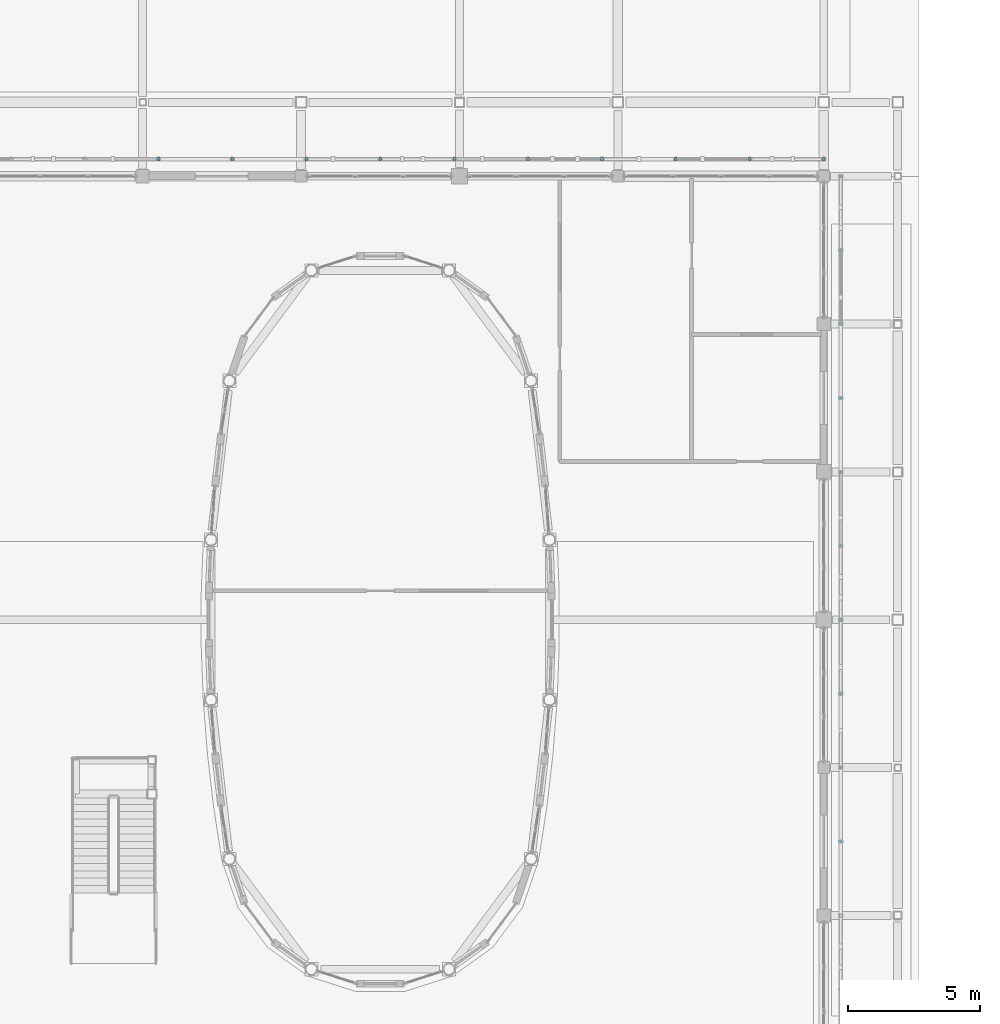
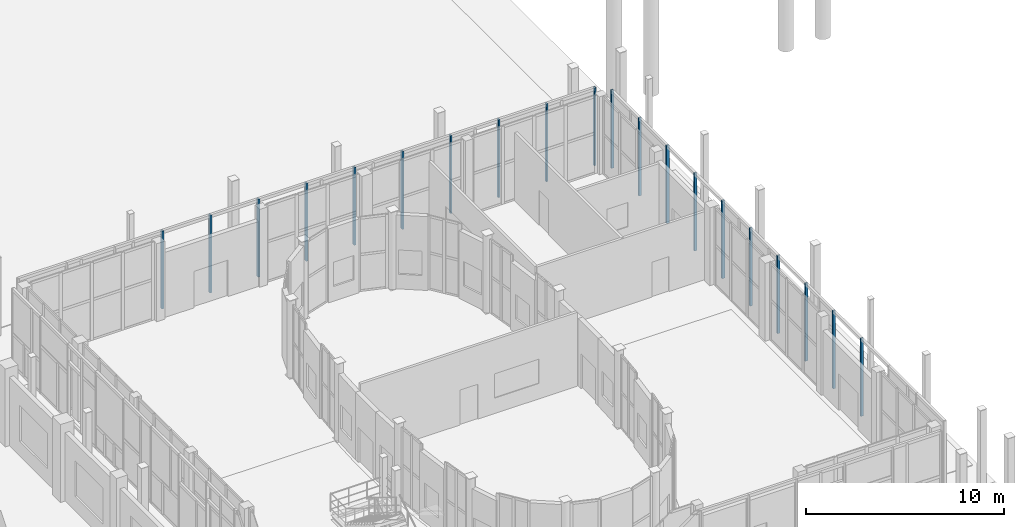
# One storey, part 82 of 91: 20 discrete accessories.
"""IFC4 building model written with IfcOpenShell, lengths in metres."""

import ifcopenshell
import ifcopenshell.guid

model = None  # the IFC model being written
_history = None  # IfcOwnerHistory: only IFC2X3 demands one
_inside = {}  # id of a spatial element -> (the spatial element, [elements in it])
_under = {}  # id of a project, library or spatial element -> (it, [spatial elements below it])
_declared = {}  # id of a project -> (the project, [libraries it declares])
_typed = {}  # id of a type object -> (the type object, [elements of that type])
_made_of = {}  # id of a material, layer set ... -> (it, [elements and type objects made of it])


def new_model(schema):
    """Start an empty IFC model of exactly this schema.

    Asked for "IFC4X3", IfcOpenShell would pick the latest addendum, in which some entities
    have other attributes; the version numbers below select the first issue.
    IFC2X3 requires an IfcOwnerHistory on every rooted entity: one is made here for all.
    """
    global model, _history
    if schema == "IFC4X3":
        model = ifcopenshell.file(schema_version=(4, 3, 0, 0))
    else:
        model = ifcopenshell.file(schema=schema)
    _inside.clear()
    _under.clear()
    _declared.clear()
    _typed.clear()
    _made_of.clear()
    _history = None
    if model.schema == "IFC2X3":
        org = make("IfcOrganization", Name="unknown")
        user = make(
            "IfcPersonAndOrganization",
            ThePerson=make("IfcPerson", FamilyName="unknown"),
            TheOrganization=org,
        )
        app = make(
            "IfcApplication",
            ApplicationDeveloper=org,
            Version="unknown",
            ApplicationFullName="unknown",
            ApplicationIdentifier="unknown",
        )
        _history = make(
            "IfcOwnerHistory",
            OwningUser=user,
            OwningApplication=app,
            ChangeAction="ADDED",
            CreationDate=0,
        )
    return model


def make(cls, **values):
    """One entity of the class cls with the attributes given. An attribute that is None is left unset."""
    return model.create_entity(
        cls, **{name: value for name, value in values.items() if value is not None}
    )


def rooted(cls, **values):
    """An entity with a GlobalId (a new one), such as an element, a storey or a relation."""
    return make(cls, GlobalId=ifcopenshell.guid.new(), OwnerHistory=_history, **values)


def si_unit(unit_type, name, prefix=None):
    """IfcSIUnit, for example si_unit("LENGTHUNIT", "METRE", prefix="MILLI")."""
    return make("IfcSIUnit", UnitType=unit_type, Prefix=prefix, Name=name)


def assignment(units):
    """IfcUnitAssignment: the units of a project."""
    return None if units is None else make("IfcUnitAssignment", Units=units)


def point(xyz):
    """IfcCartesianPoint."""
    return None if xyz is None else make("IfcCartesianPoint", Coordinates=xyz)


def direction(xyz):
    """IfcDirection."""
    return None if xyz is None else make("IfcDirection", DirectionRatios=xyz)


def frame(location, z_axis=None, x_axis=None):
    """IfcAxis2Placement3D, a coordinate frame: its origin and axes. An axis left out is left unset."""
    return make(
        "IfcAxis2Placement3D",
        Location=point(location),
        Axis=direction(z_axis),
        RefDirection=direction(x_axis),
    )


def frame_2d(location, x_axis=None):
    """IfcAxis2Placement2D, a coordinate frame in the plane: its origin and x axis."""
    return make(
        "IfcAxis2Placement2D", Location=point(location), RefDirection=direction(x_axis)
    )


def origin():
    """The frame at (0, 0, 0) with its axes left unset."""
    return frame((0.0, 0.0, 0.0))


def origin_2d():
    """The frame at (0, 0) in the plane with its x axis left unset."""
    return frame_2d((0.0, 0.0))


def place(relative_to, where):
    """IfcLocalPlacement: puts the frame where relative to a parent placement (None: the world)."""
    return make(
        "IfcLocalPlacement", PlacementRelTo=relative_to, RelativePlacement=where
    )


def context(
    kind, dimensions, precision=None, world=None, true_north=None, identifier=None
):
    """IfcGeometricRepresentationContext, for example the 3D "Model" context."""
    return make(
        "IfcGeometricRepresentationContext",
        ContextIdentifier=identifier,
        ContextType=kind,
        CoordinateSpaceDimension=dimensions,
        Precision=precision,
        WorldCoordinateSystem=world,
        TrueNorth=true_north,
    )


def subcontext(parent, identifier, kind, view, scale=None):
    """IfcGeometricRepresentationSubContext, for example "Body" below "Model"."""
    return make(
        "IfcGeometricRepresentationSubContext",
        ContextIdentifier=identifier,
        ContextType=kind,
        ParentContext=parent,
        TargetScale=scale,
        TargetView=view,
    )


def project(units=None, contexts=None):
    """IfcProject with its units and contexts."""
    return rooted(
        "IfcProject",
        Name="project",
        RepresentationContexts=contexts,
        UnitsInContext=assignment(units),
    )


def spatial(cls, under=None, at=None, **own):
    """A site, building, storey or space (cls), placed at a placement, below another one or the project."""
    s = rooted(cls, ObjectPlacement=at, **own)
    if under is not None:
        _under.setdefault(under.id(), (under, []))[1].append(s)
    return s


def profile(cls, at=None, kind="AREA", **sizes):
    """A parametric profile (cls). Its sizes go by their IFC names, for example OverallWidth=200.0."""
    return make(cls, ProfileType=kind, Position=at, **sizes)


def rectangle(**sizes):
    """IfcRectangleProfileDef."""
    return profile("IfcRectangleProfileDef", **sizes)


def extrude(swept, where, along, depth):
    """IfcExtrudedAreaSolid: the profile swept, set in the frame where, extruded along a direction by depth."""
    return make(
        "IfcExtrudedAreaSolid",
        SweptArea=swept,
        Position=where,
        ExtrudedDirection=direction(along),
        Depth=depth,
    )


def shape(context_of_items, identifier, shape_type, items):
    """IfcShapeRepresentation: the items that make up one representation, for example the "Body"."""
    return make(
        "IfcShapeRepresentation",
        ContextOfItems=context_of_items,
        RepresentationIdentifier=identifier,
        RepresentationType=shape_type,
        Items=items,
    )


def material(Name=None, Category=None):
    """IfcMaterial."""
    return make("IfcMaterial", Name=Name, Category=Category)


def made_of(thing, what):
    """Note that an element or type object is made of a material, layer set ...; save() writes the relation."""
    if what is not None:
        _made_of.setdefault(what.id(), (what, []))[1].append(thing)
    return thing


def type_object(cls, material=None, **own):
    """A type object (cls), such as IfcWallType, which elements share."""
    return made_of(rooted(cls, **own), material)


def element(
    cls,
    number,
    at=None,
    inside=None,
    cuts=None,
    type_object=None,
    material=None,
    context=None,
    identifier="Body",
    shape_type=None,
    held_by="IfcProductDefinitionShape",
    body=None,
    shapes=None,
    **own,
):
    """One element of the class cls, such as IfcWall. Its Tag is "e" and its number.

    at: its placement. inside: the storey or other place that contains it. cuts: it is an
    opening in that element (IfcRelVoidsElement). A single representation is given by context,
    identifier, shape_type and body (its items); several are given by shapes. held_by: the class
    of the entity that holds the representations. save() writes the other relations.
    """
    e = rooted(cls, Tag="e%d" % number, ObjectPlacement=at, **own)
    if body is not None:
        shapes = [shape(context, identifier, shape_type, body)]
    if shapes is not None:
        e.Representation = make(held_by, Representations=shapes)
    if inside is not None:
        _inside.setdefault(inside.id(), (inside, []))[1].append(e)
    if cuts is not None:
        rooted(
            "IfcRelVoidsElement", RelatingBuildingElement=cuts, RelatedOpeningElement=e
        )
    if type_object is not None:
        _typed.setdefault(type_object.id(), (type_object, []))[1].append(e)
    return made_of(e, material)


def aggregate(whole, parts):
    """IfcRelAggregates: a whole, such as a stair, and the parts it consists of."""
    return rooted("IfcRelAggregates", RelatingObject=whole, RelatedObjects=parts)


def save(model, path):
    """Write the relations noted so far, then the file.

    IfcRelAggregates (storeys below a building ...), IfcRelContainedInSpatialStructure (elements
    in a storey), IfcRelDefinesByType, IfcRelAssociatesMaterial and IfcRelDeclares: one each for
    every whole, place, type object, material and project.
    """
    for whole, parts in _under.values():
        aggregate(whole, parts)
    for where, things in _inside.values():
        rooted(
            "IfcRelContainedInSpatialStructure",
            RelatedElements=things,
            RelatingStructure=where,
        )
    for kind, things in _typed.values():
        rooted("IfcRelDefinesByType", RelatedObjects=things, RelatingType=kind)
    for what, things in _made_of.values():
        rooted("IfcRelAssociatesMaterial", RelatedObjects=things, RelatingMaterial=what)
    for by, libraries in _declared.values():
        rooted("IfcRelDeclares", RelatingContext=by, RelatedDefinitions=libraries)
    model.write(path)


model = new_model("IFC4")

# Units and contexts
model_context = context("Model", 3, precision=1e-05, world=origin(), true_north=direction((0.0, 1.0)))
body_context = subcontext(model_context, "Body", "Model", "MODEL_VIEW")
ifc_project = project(units=[si_unit("LENGTHUNIT", "METRE"), si_unit("AREAUNIT", "SQUARE_METRE"), si_unit("VOLUMEUNIT", "CUBIC_METRE"), si_unit("PLANEANGLEUNIT", "RADIAN"), si_unit("MASSUNIT", "GRAM", prefix="KILO")], contexts=[model_context])

# Site, building, storey
site_placement = place(None, origin())
site = spatial("IfcSite", under=ifc_project, at=site_placement, CompositionType="ELEMENT")
building_placement = place(site_placement, origin())
building = spatial("IfcBuilding", under=site, at=building_placement, Name="Vinh Khe Railworks Police Headquarters", CompositionType="ELEMENT")
storey_placement = place(building_placement, origin())
storey = spatial("IfcBuildingStorey", under=building, at=storey_placement, Name="L00", CompositionType="ELEMENT", Elevation=0.0)

# Discrete accessories
ifc_material = material(Name="Steel S355JR", Category="steel")
discrete_accessory_type = type_object("IfcDiscreteAccessoryType", Name="SCR-MULL-RHS150", PredefinedType="BRACKET", material=ifc_material)
for number, where, z_axis, x_axis, name in (
    (1, (34.800048828125, 59.449951171875, 0.0), (0.0, 0.0, 1.0), (1.0, 0.0, 0.0), "Patchwork Screen Vertical Support Channel N-4 L00"),
    (2, (37.60009765625, 59.449951171875, 0.0), (0.0, 0.0, 1.0), (1.0, 0.0, 0.0), "Patchwork Screen Vertical Support Channel N-5 L00"),
    (3, (40.39990234375, 59.449951171875, 0.0), (0.0, 0.0, 1.0), (1.0, 0.0, 0.0), "Patchwork Screen Vertical Support Channel N-6 L00"),
    (4, (43.199951171875, 59.449951171875, 0.0), (0.0, 0.0, 1.0), (1.0, 0.0, 0.0), "Patchwork Screen Vertical Support Channel N-7 L00"),
    (5, (46.0, 59.449951171875, 0.0), (0.0, 0.0, 1.0), (1.0, 0.0, 0.0), "Patchwork Screen Vertical Support Channel N-8 L00"),
    (6, (48.800048828125, 59.449951171875, 0.0), (0.0, 0.0, 1.0), (1.0, 0.0, 0.0), "Patchwork Screen Vertical Support Channel N-9 L00"),
    (7, (51.60009765625, 59.449951171875, 0.0), (0.0, 0.0, 1.0), (1.0, 0.0, 0.0), "Patchwork Screen Vertical Support Channel N-10 L00"),
    (8, (54.39990234375, 59.449951171875, 0.0), (0.0, 0.0, 1.0), (1.0, 0.0, 0.0), "Patchwork Screen Vertical Support Channel N-11 L00"),
    (9, (57.199951171875, 59.449951171875, 0.0), (0.0, 0.0, 1.0), (1.0, 0.0, 0.0), "Patchwork Screen Vertical Support Channel N-12 L00"),
    (10, (60.0, 59.449951171875, 0.0), (0.0, 0.0, 1.0), (1.0, 0.0, 0.0), "Patchwork Screen Vertical Support Channel N-13 L00"),
):
    element("IfcDiscreteAccessory", number, at=place(storey_placement, frame(where, z_axis=z_axis, x_axis=x_axis)), inside=storey, type_object=discrete_accessory_type, Name=name, PredefinedType="BRACKET", context=body_context, shape_type="SweptSolid", body=[
        extrude(rectangle(XDim=0.10009765625, YDim=0.14990234375, at=origin_2d()), origin(), (0.0, 0.0, 1.0), 4.800048828125),
    ])
for number, where, z_axis, x_axis, name in (
    (11, (60.64990234375, 33.60009765625, 0.0), (0.0, 0.0, 1.0), (1.0, 0.0, 0.0), "Patchwork Screen Vertical Support Channel E-4 L00"),
    (12, (60.64990234375, 36.39990234375, 0.0), (0.0, 0.0, 1.0), (1.0, 0.0, 0.0), "Patchwork Screen Vertical Support Channel E-5 L00"),
    (13, (60.64990234375, 39.199951171875, 0.0), (0.0, 0.0, 1.0), (1.0, 0.0, 0.0), "Patchwork Screen Vertical Support Channel E-6 L00"),
    (14, (60.64990234375, 42.0, 0.0), (0.0, 0.0, 1.0), (1.0, 0.0, 0.0), "Patchwork Screen Vertical Support Channel E-7 L00"),
    (15, (60.64990234375, 44.800048828125, 0.0), (0.0, 0.0, 1.0), (1.0, 0.0, 0.0), "Patchwork Screen Vertical Support Channel E-8 L00"),
    (16, (60.64990234375, 47.60009765625, 0.0), (0.0, 0.0, 1.0), (1.0, 0.0, 0.0), "Patchwork Screen Vertical Support Channel E-9 L00"),
    (17, (60.64990234375, 50.39990234375, 0.0), (0.0, 0.0, 1.0), (1.0, 0.0, 0.0), "Patchwork Screen Vertical Support Channel E-10 L00"),
    (18, (60.64990234375, 53.199951171875, 0.0), (0.0, 0.0, 1.0), (1.0, 0.0, 0.0), "Patchwork Screen Vertical Support Channel E-11 L00"),
    (19, (60.64990234375, 56.0, 0.0), (0.0, 0.0, 1.0), (1.0, 0.0, 0.0), "Patchwork Screen Vertical Support Channel E-12 L00"),
    (20, (60.64990234375, 58.800048828125, 0.0), (0.0, 0.0, 1.0), (1.0, 0.0, 0.0), "Patchwork Screen Vertical Support Channel E-13 L00"),
):
    element("IfcDiscreteAccessory", number, at=place(storey_placement, frame(where, z_axis=z_axis, x_axis=x_axis)), inside=storey, type_object=discrete_accessory_type, Name=name, PredefinedType="BRACKET", context=body_context, shape_type="SweptSolid", body=[
        extrude(rectangle(XDim=0.14990234375, YDim=0.10009765625, at=origin_2d()), origin(), (0.0, 0.0, 1.0), 4.800048828125),
    ])

save(model, "model.ifc")
